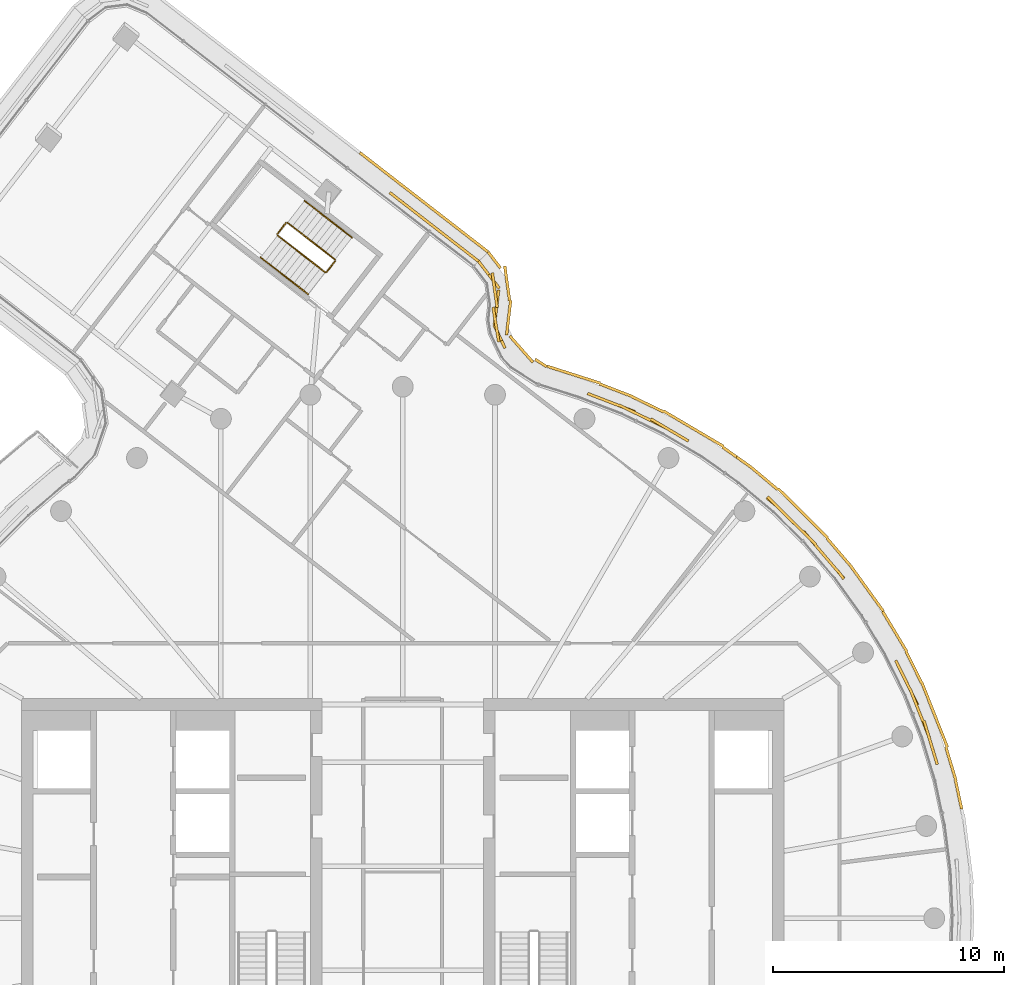
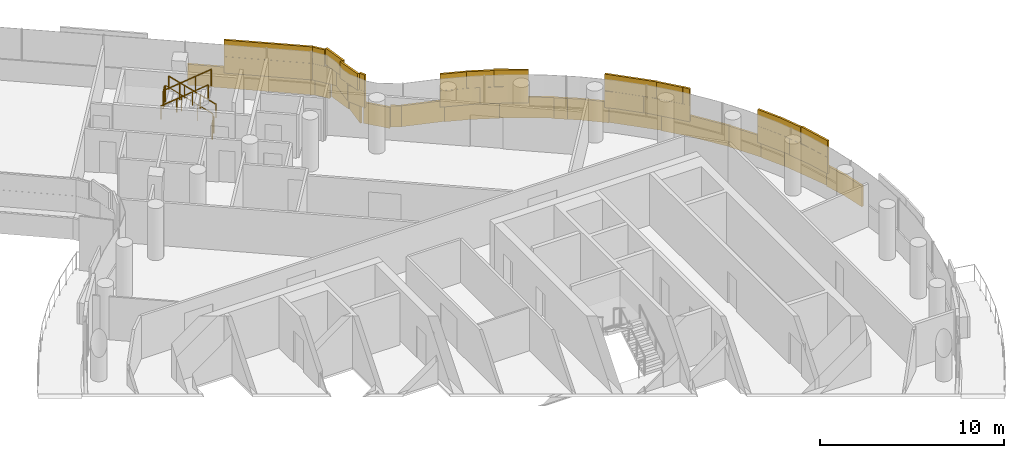
# One storey, part 25 of 26: 6 railings, 5 coverings.
"""IFC4 building model written with IfcOpenShell, lengths in metres."""

import ifcopenshell
import ifcopenshell.guid

model = None  # the IFC model being written
_history = None  # IfcOwnerHistory: only IFC2X3 demands one
_inside = {}  # id of a spatial element -> (the spatial element, [elements in it])
_under = {}  # id of a project, library or spatial element -> (it, [spatial elements below it])
_declared = {}  # id of a project -> (the project, [libraries it declares])
_typed = {}  # id of a type object -> (the type object, [elements of that type])
_made_of = {}  # id of a material, layer set ... -> (it, [elements and type objects made of it])


def new_model(schema):
    """Start an empty IFC model of exactly this schema.

    Asked for "IFC4X3", IfcOpenShell would pick the latest addendum, in which some entities
    have other attributes; the version numbers below select the first issue.
    IFC2X3 requires an IfcOwnerHistory on every rooted entity: one is made here for all.
    """
    global model, _history
    if schema == "IFC4X3":
        model = ifcopenshell.file(schema_version=(4, 3, 0, 0))
    else:
        model = ifcopenshell.file(schema=schema)
    _inside.clear()
    _under.clear()
    _declared.clear()
    _typed.clear()
    _made_of.clear()
    _history = None
    if model.schema == "IFC2X3":
        org = make("IfcOrganization", Name="unknown")
        user = make(
            "IfcPersonAndOrganization",
            ThePerson=make("IfcPerson", FamilyName="unknown"),
            TheOrganization=org,
        )
        app = make(
            "IfcApplication",
            ApplicationDeveloper=org,
            Version="unknown",
            ApplicationFullName="unknown",
            ApplicationIdentifier="unknown",
        )
        _history = make(
            "IfcOwnerHistory",
            OwningUser=user,
            OwningApplication=app,
            ChangeAction="ADDED",
            CreationDate=0,
        )
    return model


def make(cls, **values):
    """One entity of the class cls with the attributes given. An attribute that is None is left unset."""
    return model.create_entity(
        cls, **{name: value for name, value in values.items() if value is not None}
    )


def rooted(cls, **values):
    """An entity with a GlobalId (a new one), such as an element, a storey or a relation."""
    return make(cls, GlobalId=ifcopenshell.guid.new(), OwnerHistory=_history, **values)


def si_unit(unit_type, name, prefix=None):
    """IfcSIUnit, for example si_unit("LENGTHUNIT", "METRE", prefix="MILLI")."""
    return make("IfcSIUnit", UnitType=unit_type, Prefix=prefix, Name=name)


def assignment(units):
    """IfcUnitAssignment: the units of a project."""
    return None if units is None else make("IfcUnitAssignment", Units=units)


def point(xyz):
    """IfcCartesianPoint."""
    return None if xyz is None else make("IfcCartesianPoint", Coordinates=xyz)


def direction(xyz):
    """IfcDirection."""
    return None if xyz is None else make("IfcDirection", DirectionRatios=xyz)


def frame(location, z_axis=None, x_axis=None):
    """IfcAxis2Placement3D, a coordinate frame: its origin and axes. An axis left out is left unset."""
    return make(
        "IfcAxis2Placement3D",
        Location=point(location),
        Axis=direction(z_axis),
        RefDirection=direction(x_axis),
    )


def frame_2d(location, x_axis=None):
    """IfcAxis2Placement2D, a coordinate frame in the plane: its origin and x axis."""
    return make(
        "IfcAxis2Placement2D", Location=point(location), RefDirection=direction(x_axis)
    )


def origin():
    """The frame at (0, 0, 0) with its axes left unset."""
    return frame((0.0, 0.0, 0.0))


def origin_2d():
    """The frame at (0, 0) in the plane with its x axis left unset."""
    return frame_2d((0.0, 0.0))


def place(relative_to, where):
    """IfcLocalPlacement: puts the frame where relative to a parent placement (None: the world)."""
    return make(
        "IfcLocalPlacement", PlacementRelTo=relative_to, RelativePlacement=where
    )


def context(
    kind, dimensions, precision=None, world=None, true_north=None, identifier=None
):
    """IfcGeometricRepresentationContext, for example the 3D "Model" context."""
    return make(
        "IfcGeometricRepresentationContext",
        ContextIdentifier=identifier,
        ContextType=kind,
        CoordinateSpaceDimension=dimensions,
        Precision=precision,
        WorldCoordinateSystem=world,
        TrueNorth=true_north,
    )


def subcontext(parent, identifier, kind, view, scale=None):
    """IfcGeometricRepresentationSubContext, for example "Body" below "Model"."""
    return make(
        "IfcGeometricRepresentationSubContext",
        ContextIdentifier=identifier,
        ContextType=kind,
        ParentContext=parent,
        TargetScale=scale,
        TargetView=view,
    )


def project(units=None, contexts=None):
    """IfcProject with its units and contexts."""
    return rooted(
        "IfcProject",
        Name="project",
        RepresentationContexts=contexts,
        UnitsInContext=assignment(units),
    )


def spatial(cls, under=None, at=None, **own):
    """A site, building, storey or space (cls), placed at a placement, below another one or the project."""
    s = rooted(cls, ObjectPlacement=at, **own)
    if under is not None:
        _under.setdefault(under.id(), (under, []))[1].append(s)
    return s


def profile(cls, at=None, kind="AREA", **sizes):
    """A parametric profile (cls). Its sizes go by their IFC names, for example OverallWidth=200.0."""
    return make(cls, ProfileType=kind, Position=at, **sizes)


def rectangle(**sizes):
    """IfcRectangleProfileDef."""
    return profile("IfcRectangleProfileDef", **sizes)


def circle(**sizes):
    """IfcCircleProfileDef."""
    return profile("IfcCircleProfileDef", **sizes)


def extrude(swept, where, along, depth):
    """IfcExtrudedAreaSolid: the profile swept, set in the frame where, extruded along a direction by depth."""
    return make(
        "IfcExtrudedAreaSolid",
        SweptArea=swept,
        Position=where,
        ExtrudedDirection=direction(along),
        Depth=depth,
    )


def shape(context_of_items, identifier, shape_type, items):
    """IfcShapeRepresentation: the items that make up one representation, for example the "Body"."""
    return make(
        "IfcShapeRepresentation",
        ContextOfItems=context_of_items,
        RepresentationIdentifier=identifier,
        RepresentationType=shape_type,
        Items=items,
    )


def material(Name=None, Category=None):
    """IfcMaterial."""
    return make("IfcMaterial", Name=Name, Category=Category)


def layer(
    of_material, thickness, ventilated=None, Name=None, Category=None, Priority=None
):
    """IfcMaterialLayer: one layer of a wall or slab, of a material (None: an air gap)."""
    return make(
        "IfcMaterialLayer",
        Material=of_material,
        LayerThickness=thickness,
        IsVentilated=ventilated,
        Name=Name,
        Category=Category,
        Priority=Priority,
    )


def layer_set(layers, Name=None):
    """IfcMaterialLayerSet."""
    return make("IfcMaterialLayerSet", MaterialLayers=layers, LayerSetName=Name)


def made_of(thing, what):
    """Note that an element or type object is made of a material, layer set ...; save() writes the relation."""
    if what is not None:
        _made_of.setdefault(what.id(), (what, []))[1].append(thing)
    return thing


def type_object(cls, material=None, **own):
    """A type object (cls), such as IfcWallType, which elements share."""
    return made_of(rooted(cls, **own), material)


def element(
    cls,
    number,
    at=None,
    inside=None,
    cuts=None,
    type_object=None,
    material=None,
    context=None,
    identifier="Body",
    shape_type=None,
    held_by="IfcProductDefinitionShape",
    body=None,
    shapes=None,
    **own,
):
    """One element of the class cls, such as IfcWall. Its Tag is "e" and its number.

    at: its placement. inside: the storey or other place that contains it. cuts: it is an
    opening in that element (IfcRelVoidsElement). A single representation is given by context,
    identifier, shape_type and body (its items); several are given by shapes. held_by: the class
    of the entity that holds the representations. save() writes the other relations.
    """
    e = rooted(cls, Tag="e%d" % number, ObjectPlacement=at, **own)
    if body is not None:
        shapes = [shape(context, identifier, shape_type, body)]
    if shapes is not None:
        e.Representation = make(held_by, Representations=shapes)
    if inside is not None:
        _inside.setdefault(inside.id(), (inside, []))[1].append(e)
    if cuts is not None:
        rooted(
            "IfcRelVoidsElement", RelatingBuildingElement=cuts, RelatedOpeningElement=e
        )
    if type_object is not None:
        _typed.setdefault(type_object.id(), (type_object, []))[1].append(e)
    return made_of(e, material)


def aggregate(whole, parts):
    """IfcRelAggregates: a whole, such as a stair, and the parts it consists of."""
    return rooted("IfcRelAggregates", RelatingObject=whole, RelatedObjects=parts)


def save(model, path):
    """Write the relations noted so far, then the file.

    IfcRelAggregates (storeys below a building ...), IfcRelContainedInSpatialStructure (elements
    in a storey), IfcRelDefinesByType, IfcRelAssociatesMaterial and IfcRelDeclares: one each for
    every whole, place, type object, material and project.
    """
    for whole, parts in _under.values():
        aggregate(whole, parts)
    for where, things in _inside.values():
        rooted(
            "IfcRelContainedInSpatialStructure",
            RelatedElements=things,
            RelatingStructure=where,
        )
    for kind, things in _typed.values():
        rooted("IfcRelDefinesByType", RelatedObjects=things, RelatingType=kind)
    for what, things in _made_of.values():
        rooted("IfcRelAssociatesMaterial", RelatedObjects=things, RelatingMaterial=what)
    for by, libraries in _declared.values():
        rooted("IfcRelDeclares", RelatingContext=by, RelatedDefinitions=libraries)
    model.write(path)


model = new_model("IFC4")

# Units and contexts
model_context = context("Model", 3, precision=1e-05, world=origin(), true_north=direction((0.0, 1.0)))
body_context = subcontext(model_context, "Body", "Model", "MODEL_VIEW")
ifc_project = project(units=[si_unit("LENGTHUNIT", "METRE"), si_unit("AREAUNIT", "SQUARE_METRE"), si_unit("VOLUMEUNIT", "CUBIC_METRE"), si_unit("PLANEANGLEUNIT", "RADIAN"), si_unit("MASSUNIT", "GRAM", prefix="KILO")], contexts=[model_context])

# Site, building, storey
site_placement = place(None, origin())
site = spatial("IfcSite", under=ifc_project, at=site_placement, CompositionType="ELEMENT")
building_placement = place(site_placement, origin())
building = spatial("IfcBuilding", under=site, at=building_placement, Name="Tamarind Cross Interchange Tower", CompositionType="ELEMENT")
storey_placement = place(building_placement, frame((0.0, 0.0, 223.5)))
storey = spatial("IfcBuildingStorey", under=building, at=storey_placement, Name="L56", CompositionType="ELEMENT", Elevation=223.5)

# Railings
ifc_material_1 = material(Name="Stair guard")
railing_type_1 = type_object("IfcRailingType", Name="Stair guard", PredefinedType="GUARDRAIL", material=ifc_material_1)
railing_1_placement = place(storey_placement, frame((-2.92919921875, 28.50634765625, 0.16357421875)))
element("IfcRailing", 1, at=railing_1_placement, inside=storey, type_object=railing_type_1, Name="L56 ST4 stair guard 1", PredefinedType="GUARDRAIL", context=body_context, shape_type="SweptSolid", body=[
    extrude(circle(Radius=0.02392578125, at=origin_2d()), frame((0.0, 0.0, 1.076171875), z_axis=(-0.669118425312, 0.518209174758, 0.532672304616), x_axis=(-0.612307646788, -0.790619596067, 0.0)), (0.0, 0.0, 1.0), 3.072265625),
    extrude(circle(Radius=0.02099609375, at=origin_2d()), origin(), (0.0, 0.0, 1.0), 1.052001953125),
    extrude(circle(Radius=0.02099609375, at=origin_2d()), frame((-0.685302734375, 0.53076171875, 0.54541015625)), (0.0, 0.0, 1.0), 1.052001953125),
    extrude(circle(Radius=0.02099609375, at=origin_2d()), frame((-1.370361328125, 1.061279296875, 1.091064453125)), (0.0, 0.0, 1.0), 1.052001953125),
    extrude(circle(Radius=0.02099609375, at=origin_2d()), frame((-2.0556640625, 1.592041015625, 1.636474609375)), (0.0, 0.0, 1.0), 1.052001953125),
])
railing_2_placement = place(storey_placement, frame((-5.054931640625, 30.089599609375, 1.800048828125)))
element("IfcRailing", 2, at=railing_2_placement, inside=storey, type_object=railing_type_1, Name="L56 ST4 stair guard 2", PredefinedType="GUARDRAIL", context=body_context, shape_type="SweptSolid", body=[
    extrude(circle(Radius=0.02392578125, at=origin_2d()), frame((0.0, 0.0, 1.076171875), z_axis=(-0.612361925717, -0.790577555925, 0.0), x_axis=(0.790577555925, -0.612361925717, 0.0)), (0.0, 0.0, 1.0), 0.60009765625),
    extrude(circle(Radius=0.02099609375, at=origin_2d()), origin(), (0.0, 0.0, 1.0), 1.052001953125),
    extrude(circle(Radius=0.02099609375, at=origin_2d()), frame((-0.367431640625, -0.474365234375, 0.0)), (0.0, 0.0, 1.0), 1.052001953125),
])
railing_3_placement = place(storey_placement, frame((-5.413330078125, 29.544921875, 1.963623046875)))
element("IfcRailing", 3, at=railing_3_placement, inside=storey, type_object=railing_type_1, Name="L56 ST4 stair guard 3", PredefinedType="GUARDRAIL", context=body_context, shape_type="SweptSolid", body=[
    extrude(circle(Radius=0.02392578125, at=origin_2d()), frame((0.0, 0.0, 1.076171875), z_axis=(0.669074533322, -0.518236730228, 0.532700629155), x_axis=(0.61235310531, 0.790584387917, 0.0)), (0.0, 0.0, 1.0), 3.072021484375),
    extrude(circle(Radius=0.02099609375, at=origin_2d()), origin(), (0.0, 0.0, 1.0), 1.052001953125),
    extrude(circle(Radius=0.02099609375, at=origin_2d()), frame((0.68505859375, -0.53076171875, 0.54541015625)), (0.0, 0.0, 1.0), 1.052001953125),
    extrude(circle(Radius=0.02099609375, at=origin_2d()), frame((1.370361328125, -1.061279296875, 1.091064453125)), (0.0, 0.0, 1.0), 1.052001953125),
    extrude(circle(Radius=0.02099609375, at=origin_2d()), frame((2.055419921875, -1.592041015625, 1.636474609375)), (0.0, 0.0, 1.0), 1.052001953125),
])
railing_4_placement = place(storey_placement, frame((-2.92041015625, 28.43603515625, 0.0)))
element("IfcRailing", 4, at=railing_4_placement, inside=storey, type_object=railing_type_1, Name="L56 ST4 stair guard 4", PredefinedType="GUARDRAIL", context=body_context, shape_type="SweptSolid", body=[
    extrude(circle(Radius=0.02392578125, at=origin_2d()), frame((0.0, 0.0, 1.076171875), z_axis=(-0.612558951076, -0.790424905641, 0.0), x_axis=(0.790424905641, -0.612558951076, 0.0)), (0.0, 0.0, 1.0), 0.599853515625),
    extrude(circle(Radius=0.02099609375, at=origin_2d()), origin(), (0.0, 0.0, 1.0), 1.052001953125),
    extrude(circle(Radius=0.02099609375, at=origin_2d()), frame((-0.367431640625, -0.47412109375, 0.0)), (0.0, 0.0, 1.0), 1.052001953125),
])
ifc_material_2 = material(Name="Stair handrail")
railing_type_2 = type_object("IfcRailingType", Name="Stair handrail", PredefinedType="HANDRAIL", material=ifc_material_2)
railing_5_placement = place(storey_placement, frame((-2.1943359375, 29.455078125, 0.16357421875)))
element("IfcRailing", 5, at=railing_5_placement, inside=storey, type_object=railing_type_2, Name="L56 ST4 stair handrail 1", PredefinedType="HANDRAIL", context=body_context, shape_type="SweptSolid", body=[
    extrude(circle(Radius=0.02392578125, at=origin_2d()), frame((0.0, 0.0, 0.8759765625), z_axis=(-0.669118425312, 0.518209174758, 0.532672304616), x_axis=(-0.612307646788, -0.790619596067, 0.0)), (0.0, 0.0, 1.0), 3.072265625),
    extrude(circle(Radius=0.02099609375, at=origin_2d()), origin(), (0.0, 0.0, 1.0), 0.851806640625),
    extrude(circle(Radius=0.02099609375, at=origin_2d()), frame((-0.685302734375, 0.53076171875, 0.54541015625)), (0.0, 0.0, 1.0), 0.851806640625),
    extrude(circle(Radius=0.02099609375, at=origin_2d()), frame((-1.370361328125, 1.061279296875, 1.091064453125)), (0.0, 0.0, 1.0), 0.851806640625),
    extrude(circle(Radius=0.02099609375, at=origin_2d()), frame((-2.0556640625, 1.592041015625, 1.636474609375)), (0.0, 0.0, 1.0), 0.851806640625),
])
railing_6_placement = place(storey_placement, frame((-6.148193359375, 28.59619140625, 1.963623046875)))
element("IfcRailing", 6, at=railing_6_placement, inside=storey, type_object=railing_type_2, Name="L56 ST4 stair handrail 2", PredefinedType="HANDRAIL", context=body_context, shape_type="SweptSolid", body=[
    extrude(circle(Radius=0.02392578125, at=origin_2d()), frame((0.0, 0.0, 0.8759765625), z_axis=(0.669074533322, -0.518236730228, 0.532700629155), x_axis=(0.61235310531, 0.790584387917, 0.0)), (0.0, 0.0, 1.0), 3.072021484375),
    extrude(circle(Radius=0.02099609375, at=origin_2d()), origin(), (0.0, 0.0, 1.0), 0.851806640625),
    extrude(circle(Radius=0.02099609375, at=origin_2d()), frame((0.68505859375, -0.53076171875, 0.54541015625)), (0.0, 0.0, 1.0), 0.851806640625),
    extrude(circle(Radius=0.02099609375, at=origin_2d()), frame((1.370361328125, -1.061279296875, 1.091064453125)), (0.0, 0.0, 1.0), 0.851806640625),
    extrude(circle(Radius=0.02099609375, at=origin_2d()), frame((2.055419921875, -1.592041015625, 1.636474609375)), (0.0, 0.0, 1.0), 0.851806640625),
])

# Coverings
ifc_material_3 = material(Name="Terracotta", Category="masonry")
ifc_layer = layer(ifc_material_3, 0.1201171875)
ifc_layer_set = layer_set([ifc_layer], Name="Terracotta")
covering_type = type_object("IfcCoveringType", Name="Terracotta baguette screen unit", PredefinedType="MOLDING", material=ifc_layer_set)
covering_1_placement = place(storey_placement, origin())
element("IfcCovering", 7, at=covering_1_placement, inside=storey, type_object=covering_type, Name="SCR-L56-02-07", PredefinedType="MOLDING", context=body_context, shape_type="SweptSolid", body=[
    extrude(rectangle(XDim=1.22216796875, YDim=0.1201171875, at=origin_2d()), frame((22.951416015625, 7.2431640625, 1.40380859375), z_axis=(0.0, 0.0, 1.0), x_axis=(-0.289458243079, 0.957190642199, 0.0)), (0.0, 0.0, 1.0), 1.092041015625),
    extrude(rectangle(XDim=1.52001953125, YDim=0.1201171875, at=origin_2d()), frame((22.508056640625, 8.523681640625, 1.40380859375), z_axis=(0.0, 0.0, 1.0), x_axis=(-0.367513773146, 0.930018078613, 0.0)), (0.0, 0.0, 1.0), 1.092041015625),
    extrude(rectangle(XDim=1.52001953125, YDim=0.1201171875, at=origin_2d()), frame((21.94482421875, 9.913330078125, 1.40380859375), z_axis=(0.0, 0.0, 1.0), x_axis=(-0.443058811505, 0.896492548518, 0.0)), (0.0, 0.0, 1.0), 1.092041015625),
    extrude(rectangle(XDim=0.641357421875, YDim=0.1201171875, at=origin_2d()), frame((21.47265625, 10.86865234375, 1.40380859375), z_axis=(0.0, 0.0, 1.0), x_axis=(-0.443058811505, 0.896492548518, 0.0)), (0.0, 0.0, 1.0), 1.092041015625),
    extrude(rectangle(XDim=0.47216796875, YDim=0.1201171875, at=origin_2d()), frame((23.059814453125, 6.88427734375, 2.50390625), z_axis=(0.0, 0.0, 1.0), x_axis=(-0.289458243079, 0.957190642199, 0.0)), (0.0, 0.0, 1.0), 1.092041015625),
    extrude(rectangle(XDim=1.52001953125, YDim=0.1201171875, at=origin_2d()), frame((22.77587890625, 7.8232421875, 2.50390625), z_axis=(0.0, 0.0, 1.0), x_axis=(-0.289458243079, 0.957190642199, 0.0)), (0.0, 0.0, 1.0), 1.092041015625),
    extrude(rectangle(XDim=1.52001953125, YDim=0.1201171875, at=origin_2d()), frame((22.232421875, 9.22119140625, 2.50390625), z_axis=(0.0, 0.0, 1.0), x_axis=(-0.367513773146, 0.930018078613, 0.0)), (0.0, 0.0, 1.0), 1.092041015625),
    extrude(rectangle(XDim=1.391357421875, YDim=0.1201171875, at=origin_2d()), frame((21.638671875, 10.532470703125, 2.50390625), z_axis=(0.0, 0.0, 1.0), x_axis=(-0.443058811505, 0.896492548518, 0.0)), (0.0, 0.0, 1.0), 1.092041015625),
    extrude(rectangle(XDim=1.258056640625, YDim=0.1201171875, at=origin_2d()), frame((24.052490234375, 5.34912109375, 0.00390625), z_axis=(0.0, 0.0, 1.0), x_axis=(-0.209425419705, 0.977824623121, 0.0)), (0.0, 0.0, 1.0), 1.39208984375),
    extrude(rectangle(XDim=1.52001953125, YDim=0.1201171875, at=origin_2d()), frame((23.722412109375, 6.676513671875, 0.00390625), z_axis=(0.0, 0.0, 1.0), x_axis=(-0.289458243079, 0.957190642199, 0.0)), (0.0, 0.0, 1.0), 1.39208984375),
    extrude(rectangle(XDim=1.52001953125, YDim=0.1201171875, at=origin_2d()), frame((23.287841796875, 8.1123046875, 0.00390625), z_axis=(0.0, 0.0, 1.0), x_axis=(-0.367513773146, 0.930018078613, 0.0)), (0.0, 0.0, 1.0), 1.39208984375),
    extrude(rectangle(XDim=1.52001953125, YDim=0.1201171875, at=origin_2d()), frame((22.736572265625, 9.50732421875, 0.00390625), z_axis=(0.0, 0.0, 1.0), x_axis=(-0.367513773146, 0.930018078613, 0.0)), (0.0, 0.0, 1.0), 1.39208984375),
    extrude(rectangle(XDim=1.52001953125, YDim=0.1201171875, at=origin_2d()), frame((22.1123046875, 10.869873046875, 0.00390625), z_axis=(0.0, 0.0, 1.0), x_axis=(-0.443058811505, 0.896492548518, 0.0)), (0.0, 0.0, 1.0), 1.39208984375),
    extrude(rectangle(XDim=1.52001953125, YDim=0.1201171875, at=origin_2d()), frame((21.41650390625, 12.197509765625, 0.00390625), z_axis=(0.0, 0.0, 1.0), x_axis=(-0.515577308909, 0.856843065292, 0.0)), (0.0, 0.0, 1.0), 1.39208984375),
    extrude(rectangle(XDim=0.52099609375, YDim=0.1201171875, at=origin_2d()), frame((20.900634765625, 13.054931640625, 0.00390625), z_axis=(0.0, 0.0, 1.0), x_axis=(-0.515577308909, 0.856843065292, 0.0)), (0.0, 0.0, 1.0), 1.39208984375),
])
covering_2_placement = place(storey_placement, origin())
element("IfcCovering", 8, at=covering_2_placement, inside=storey, type_object=covering_type, Name="SCR-L56-02-08", PredefinedType="MOLDING", context=body_context, shape_type="SweptSolid", body=[
    extrude(rectangle(XDim=1.1787109375, YDim=0.1201171875, at=origin_2d()), frame((18.714111328125, 15.14404296875, 1.40380859375), z_axis=(0.0, 0.0, 1.0), x_axis=(-0.64957723968, 0.760295606781, 0.0)), (0.0, 0.0, 1.0), 1.092041015625),
    extrude(rectangle(XDim=1.52001953125, YDim=0.1201171875, at=origin_2d()), frame((17.84716796875, 16.15869140625, 1.40380859375), z_axis=(0.0, 0.0, 1.0), x_axis=(-0.64957723968, 0.760295606781, 0.0)), (0.0, 0.0, 1.0), 1.092041015625),
    extrude(rectangle(XDim=1.52001953125, YDim=0.1201171875, at=origin_2d()), frame((16.80029296875, 17.231689453125, 1.40380859375), z_axis=(0.0, 0.0, 1.0), x_axis=(-0.710143317658, 0.704057148523, 0.0)), (0.0, 0.0, 1.0), 1.092041015625),
    extrude(rectangle(XDim=0.683837890625, YDim=0.1201171875, at=origin_2d()), frame((16.01220703125, 17.979248046875, 1.40380859375), z_axis=(0.0, 0.0, 1.0), x_axis=(-0.765858396687, 0.643009266048, 0.0)), (0.0, 0.0, 1.0), 1.092041015625),
    extrude(rectangle(XDim=0.4287109375, YDim=0.1201171875, at=origin_2d()), frame((18.9560546875, 14.85791015625, 2.50390625), z_axis=(0.0, 0.0, 1.0), x_axis=(-0.584573890505, 0.811340475102, 0.0)), (0.0, 0.0, 1.0), 1.092041015625),
    extrude(rectangle(XDim=1.52001953125, YDim=0.1201171875, at=origin_2d()), frame((18.33447265625, 15.58837890625, 2.50390625), z_axis=(0.0, 0.0, 1.0), x_axis=(-0.64957723968, 0.760295606781, 0.0)), (0.0, 0.0, 1.0), 1.092041015625),
    extrude(rectangle(XDim=1.52001953125, YDim=0.1201171875, at=origin_2d()), frame((17.3330078125, 16.703857421875, 2.50390625), z_axis=(0.0, 0.0, 1.0), x_axis=(-0.710143317658, 0.704057148523, 0.0)), (0.0, 0.0, 1.0), 1.092041015625),
    extrude(rectangle(XDim=1.433837890625, YDim=0.1201171875, at=origin_2d()), frame((16.294677734375, 17.73291015625, 2.50390625), z_axis=(0.0, 0.0, 1.0), x_axis=(-0.710143317658, 0.704057148523, 0.0)), (0.0, 0.0, 1.0), 1.092041015625),
    extrude(rectangle(XDim=0.9990234375, YDim=0.1201171875, at=origin_2d()), frame((20.49853515625, 13.69921875, 0.00390625), z_axis=(0.0, 0.0, 1.0), x_axis=(-0.584573890505, 0.811340475102, 0.0)), (0.0, 0.0, 1.0), 1.39208984375),
    extrude(rectangle(XDim=1.52001953125, YDim=0.1201171875, at=origin_2d()), frame((19.77392578125, 14.704833984375, 0.00390625), z_axis=(0.0, 0.0, 1.0), x_axis=(-0.584573890505, 0.811340475102, 0.0)), (0.0, 0.0, 1.0), 1.39208984375),
    extrude(rectangle(XDim=1.52001953125, YDim=0.1201171875, at=origin_2d()), frame((18.841552734375, 15.87841796875, 0.00390625), z_axis=(0.0, 0.0, 1.0), x_axis=(-0.64957723968, 0.760295606781, 0.0)), (0.0, 0.0, 1.0), 1.39208984375),
    extrude(rectangle(XDim=1.52001953125, YDim=0.1201171875, at=origin_2d()), frame((17.84814453125, 17.001220703125, 0.00390625), z_axis=(0.0, 0.0, 1.0), x_axis=(-0.710143317658, 0.704057148523, 0.0)), (0.0, 0.0, 1.0), 1.39208984375),
    extrude(rectangle(XDim=1.52001953125, YDim=0.1201171875, at=origin_2d()), frame((16.782958984375, 18.057373046875, 0.00390625), z_axis=(0.0, 0.0, 1.0), x_axis=(-0.710143317658, 0.704057148523, 0.0)), (0.0, 0.0, 1.0), 1.39208984375),
    extrude(rectangle(XDim=1.52001953125, YDim=0.1201171875, at=origin_2d()), frame((15.646728515625, 19.035400390625, 0.00390625), z_axis=(0.0, 0.0, 1.0), x_axis=(-0.765858396687, 0.643009266048, 0.0)), (0.0, 0.0, 1.0), 1.39208984375),
    extrude(rectangle(XDim=0.779296875, YDim=0.1201171875, at=origin_2d()), frame((14.762939453125, 19.73779296875, 0.00390625), z_axis=(0.0, 0.0, 1.0), x_axis=(-0.816341886298, 0.577568978284, 0.0)), (0.0, 0.0, 1.0), 1.39208984375),
])
covering_3_placement = place(storey_placement, origin())
element("IfcCovering", 9, at=covering_3_placement, inside=storey, type_object=covering_type, Name="SCR-L56-02-09", PredefinedType="MOLDING", context=body_context, shape_type="SweptSolid", body=[
    extrude(rectangle(XDim=1.13623046875, YDim=0.1201171875, at=origin_2d()), frame((11.87109375, 20.93798828125, 1.40380859375), z_axis=(0.0, 0.0, 1.0), x_axis=(-0.861248933065, 0.508183308752, 0.0)), (0.0, 0.0, 1.0), 1.092041015625),
    extrude(rectangle(XDim=1.52001953125, YDim=0.1201171875, at=origin_2d()), frame((10.711669921875, 21.5517578125, 1.40380859375), z_axis=(0.0, 0.0, 1.0), x_axis=(-0.900272776334, 0.435326231914, 0.0)), (0.0, 0.0, 1.0), 1.092041015625),
    extrude(rectangle(XDim=1.52001953125, YDim=0.1201171875, at=origin_2d()), frame((9.353271484375, 22.186279296875, 1.40380859375), z_axis=(0.0, 0.0, 1.0), x_axis=(-0.933146843667, 0.359495435512, 0.0)), (0.0, 0.0, 1.0), 1.092041015625),
    extrude(rectangle(XDim=0.71044921875, YDim=0.1201171875, at=origin_2d()), frame((8.32666015625, 22.581787109375, 1.40380859375), z_axis=(0.0, 0.0, 1.0), x_axis=(-0.933146843667, 0.359495435512, 0.0)), (0.0, 0.0, 1.0), 1.092041015625),
    extrude(rectangle(XDim=0.38623046875, YDim=0.1201171875, at=origin_2d()), frame((12.194091796875, 20.747314453125, 2.50390625), z_axis=(0.0, 0.0, 1.0), x_axis=(-0.861248933065, 0.508183308752, 0.0)), (0.0, 0.0, 1.0), 1.092041015625),
    extrude(rectangle(XDim=1.52001953125, YDim=0.1201171875, at=origin_2d()), frame((11.38623046875, 21.22412109375, 2.50390625), z_axis=(0.0, 0.0, 1.0), x_axis=(-0.861248933065, 0.508183308752, 0.0)), (0.0, 0.0, 1.0), 1.092041015625),
    extrude(rectangle(XDim=1.52001953125, YDim=0.1201171875, at=origin_2d()), frame((10.036376953125, 21.878173828125, 2.50390625), z_axis=(0.0, 0.0, 1.0), x_axis=(-0.900272776334, 0.435326231914, 0.0)), (0.0, 0.0, 1.0), 1.092041015625),
    extrude(rectangle(XDim=1.46044921875, YDim=0.1201171875, at=origin_2d()), frame((8.676513671875, 22.447021484375, 2.50390625), z_axis=(0.0, 0.0, 1.0), x_axis=(-0.933146843667, 0.359495435512, 0.0)), (0.0, 0.0, 1.0), 1.092041015625),
    extrude(rectangle(XDim=0.74072265625, YDim=0.1201171875, at=origin_2d()), frame((14.142578125, 20.1767578125, 0.00390625), z_axis=(0.0, 0.0, 1.0), x_axis=(-0.816341886298, 0.577568978284, 0.0)), (0.0, 0.0, 1.0), 1.39208984375),
    extrude(rectangle(XDim=1.52001953125, YDim=0.1201171875, at=origin_2d()), frame((13.227294921875, 20.80419921875, 0.00390625), z_axis=(0.0, 0.0, 1.0), x_axis=(-0.861248933065, 0.508183308752, 0.0)), (0.0, 0.0, 1.0), 1.39208984375),
    extrude(rectangle(XDim=1.52001953125, YDim=0.1201171875, at=origin_2d()), frame((11.935302734375, 21.56640625, 0.00390625), z_axis=(0.0, 0.0, 1.0), x_axis=(-0.861248933065, 0.508183308752, 0.0)), (0.0, 0.0, 1.0), 1.39208984375),
    extrude(rectangle(XDim=1.52001953125, YDim=0.1201171875, at=origin_2d()), frame((10.59814453125, 22.244140625, 0.00390625), z_axis=(0.0, 0.0, 1.0), x_axis=(-0.900272776334, 0.435326231914, 0.0)), (0.0, 0.0, 1.0), 1.39208984375),
    extrude(rectangle(XDim=1.52001953125, YDim=0.1201171875, at=origin_2d()), frame((9.227294921875, 22.849853515625, 0.00390625), z_axis=(0.0, 0.0, 1.0), x_axis=(-0.933146843667, 0.359495435512, 0.0)), (0.0, 0.0, 1.0), 1.39208984375),
    extrude(rectangle(XDim=1.52001953125, YDim=0.1201171875, at=origin_2d()), frame((7.82568359375, 23.384033203125, 0.00390625), z_axis=(0.0, 0.0, 1.0), x_axis=(-0.952500204804, 0.304537944842, 0.0)), (0.0, 0.0, 1.0), 1.39208984375),
    extrude(rectangle(XDim=0.916259765625, YDim=0.1201171875, at=origin_2d()), frame((6.6845703125, 23.748779296875, 0.00390625), z_axis=(0.0, 0.0, 1.0), x_axis=(-0.952500204804, 0.304537944842, 0.0)), (0.0, 0.0, 1.0), 1.39208984375),
])
covering_4_placement = place(storey_placement, origin())
element("IfcCovering", 10, at=covering_4_placement, inside=storey, type_object=covering_type, Name="SCR-L56-02-10", PredefinedType="MOLDING", context=body_context, shape_type="SweptSolid", body=[
    extrude(rectangle(XDim=1.109619140625, YDim=0.1201171875, at=origin_2d()), frame((4.190673828125, 25.170166015625, 1.40380859375), z_axis=(0.0, 0.0, 1.0), x_axis=(-0.42783948408, 0.903854731615, 0.0)), (0.0, 0.0, 1.0), 1.092041015625),
    extrude(rectangle(XDim=1.52001953125, YDim=0.1201171875, at=origin_2d()), frame((4.05859375, 26.434814453125, 1.40380859375), z_axis=(0.0, 0.0, 1.0), x_axis=(0.117187703129, 0.993109783577, 0.0)), (0.0, 0.0, 1.0), 1.092041015625),
    extrude(rectangle(XDim=1.478271484375, YDim=0.1201171875, at=origin_2d()), frame((3.730712890625, 27.842041015625, 1.40380859375), z_axis=(0.0, 0.0, 1.0), x_axis=(-0.608727419193, 0.793379435783, 0.0)), (0.0, 0.0, 1.0), 1.092041015625),
    extrude(rectangle(XDim=0.359619140625, YDim=0.1201171875, at=origin_2d()), frame((4.35107421875, 24.831298828125, 2.50390625), z_axis=(0.0, 0.0, 1.0), x_axis=(-0.42783948408, 0.903854731615, 0.0)), (0.0, 0.0, 1.0), 1.092041015625),
    extrude(rectangle(XDim=1.52001953125, YDim=0.1201171875, at=origin_2d()), frame((4.033203125, 25.69140625, 2.50390625), z_axis=(0.0, 0.0, 1.0), x_axis=(-0.161609864564, 0.986854726733, 0.0)), (0.0, 0.0, 1.0), 1.092041015625),
    extrude(rectangle(XDim=1.52001953125, YDim=0.1201171875, at=origin_2d()), frame((3.98291015625, 27.177978515625, 2.50390625), z_axis=(0.0, 0.0, 1.0), x_axis=(-0.139391414692, 0.990237362207, 0.0)), (0.0, 0.0, 1.0), 1.092041015625),
    extrude(rectangle(XDim=0.728271484375, YDim=0.1201171875, at=origin_2d()), frame((3.50244140625, 28.1396484375, 2.50390625), z_axis=(0.0, 0.0, 1.0), x_axis=(-0.608727419193, 0.793379435783, 0.0)), (0.0, 0.0, 1.0), 1.092041015625),
    extrude(rectangle(XDim=0.603759765625, YDim=0.1201171875, at=origin_2d()), frame((5.98193359375, 24.025634765625, 0.00390625), z_axis=(0.0, 0.0, 1.0), x_axis=(-0.842366601618, 0.538904915991, 0.0)), (0.0, 0.0, 1.0), 1.39208984375),
    extrude(rectangle(XDim=1.52001953125, YDim=0.1201171875, at=origin_2d()), frame((5.136962890625, 24.625244140625, 0.00390625), z_axis=(0.0, 0.0, 1.0), x_axis=(-0.660797220793, 0.750564476239, 0.0)), (0.0, 0.0, 1.0), 1.39208984375),
    extrude(rectangle(XDim=1.52001953125, YDim=0.1201171875, at=origin_2d()), frame((4.583984375, 25.9892578125, 0.00390625), z_axis=(0.0, 0.0, 1.0), x_axis=(0.117187703129, 0.993109783577, 0.0)), (0.0, 0.0, 1.0), 1.39208984375),
    extrude(rectangle(XDim=1.52001953125, YDim=0.1201171875, at=origin_2d()), frame((4.5205078125, 27.476318359375, 0.00390625), z_axis=(0.0, 0.0, 1.0), x_axis=(-0.139391414692, 0.990237362207, 0.0)), (0.0, 0.0, 1.0), 1.39208984375),
    extrude(rectangle(XDim=0.884033203125, YDim=0.1201171875, at=origin_2d()), frame((3.963134765625, 28.482177734375, 0.00390625), z_axis=(0.0, 0.0, 1.0), x_axis=(-0.608727419193, 0.793379435783, 0.0)), (0.0, 0.0, 1.0), 1.39208984375),
])
covering_5_placement = place(storey_placement, origin())
element("IfcCovering", 11, at=covering_5_placement, inside=storey, type_object=covering_type, Name="SCR-L56-03-00", PredefinedType="MOLDING", context=body_context, shape_type="SweptSolid", body=[
    extrude(rectangle(XDim=1.510009765625, YDim=0.1201171875, at=origin_2d()), frame((2.69091796875, 28.8837890625, 1.40380859375), z_axis=(0.0, 0.0, 1.0), x_axis=(-0.790582709629, 0.612355272073, 0.0)), (0.0, 0.0, 1.0), 1.092041015625),
    extrude(rectangle(XDim=1.52001953125, YDim=0.1201171875, at=origin_2d()), frame((1.505126953125, 29.80224609375, 1.40380859375), z_axis=(0.0, 0.0, 1.0), x_axis=(-0.790582709629, 0.612355272073, 0.0)), (0.0, 0.0, 1.0), 1.092041015625),
    extrude(rectangle(XDim=1.52001953125, YDim=0.1201171875, at=origin_2d()), frame((0.319091796875, 30.720947265625, 1.40380859375), z_axis=(0.0, 0.0, 1.0), x_axis=(-0.790582709629, 0.612355272073, 0.0)), (0.0, 0.0, 1.0), 1.092041015625),
    extrude(rectangle(XDim=0.36962890625, YDim=0.1201171875, at=origin_2d()), frame((-0.415771484375, 31.290283203125, 1.40380859375), z_axis=(0.0, 0.0, 1.0), x_axis=(-0.790582709629, 0.612355272073, 0.0)), (0.0, 0.0, 1.0), 1.092041015625),
    extrude(rectangle(XDim=0.760009765625, YDim=0.1201171875, at=origin_2d()), frame((2.9873046875, 28.654052734375, 2.50390625), z_axis=(0.0, 0.0, 1.0), x_axis=(-0.790582709629, 0.612355272073, 0.0)), (0.0, 0.0, 1.0), 1.092041015625),
    extrude(rectangle(XDim=1.52001953125, YDim=0.1201171875, at=origin_2d()), frame((2.097900390625, 29.343017578125, 2.50390625), z_axis=(0.0, 0.0, 1.0), x_axis=(-0.790582709629, 0.612355272073, 0.0)), (0.0, 0.0, 1.0), 1.092041015625),
    extrude(rectangle(XDim=1.52001953125, YDim=0.1201171875, at=origin_2d()), frame((0.912109375, 30.261474609375, 2.50390625), z_axis=(0.0, 0.0, 1.0), x_axis=(-0.790582709629, 0.612355272073, 0.0)), (0.0, 0.0, 1.0), 1.092041015625),
    extrude(rectangle(XDim=1.11962890625, YDim=0.1201171875, at=origin_2d()), frame((-0.119384765625, 31.060546875, 2.50390625), z_axis=(0.0, 0.0, 1.0), x_axis=(-0.790582709629, 0.612355272073, 0.0)), (0.0, 0.0, 1.0), 1.092041015625),
    extrude(rectangle(XDim=1.510009765625, YDim=0.1201171875, at=origin_2d()), frame((3.09716796875, 29.295166015625, 0.00390625), z_axis=(0.0, 0.0, 1.0), x_axis=(-0.790582709629, 0.612355272073, 0.0)), (0.0, 0.0, 1.0), 1.39208984375),
    extrude(rectangle(XDim=1.52001953125, YDim=0.1201171875, at=origin_2d()), frame((1.915283203125, 30.210693359375, 0.00390625), z_axis=(0.0, 0.0, 1.0), x_axis=(-0.790582709629, 0.612355272073, 0.0)), (0.0, 0.0, 1.0), 1.39208984375),
    extrude(rectangle(XDim=1.52001953125, YDim=0.1201171875, at=origin_2d()), frame((0.7294921875, 31.129150390625, 0.00390625), z_axis=(0.0, 0.0, 1.0), x_axis=(-0.790582709629, 0.612355272073, 0.0)), (0.0, 0.0, 1.0), 1.39208984375),
    extrude(rectangle(XDim=1.52001953125, YDim=0.1201171875, at=origin_2d()), frame((-0.45654296875, 32.047607421875, 0.00390625), z_axis=(0.0, 0.0, 1.0), x_axis=(-0.790582709629, 0.612355272073, 0.0)), (0.0, 0.0, 1.0), 1.39208984375),
    extrude(rectangle(XDim=1.027587890625, YDim=0.1201171875, at=origin_2d()), frame((-1.44775390625, 32.8154296875, 0.00390625), z_axis=(0.0, 0.0, 1.0), x_axis=(-0.790582709629, 0.612355272073, 0.0)), (0.0, 0.0, 1.0), 1.39208984375),
])

save(model, "model.ifc")
